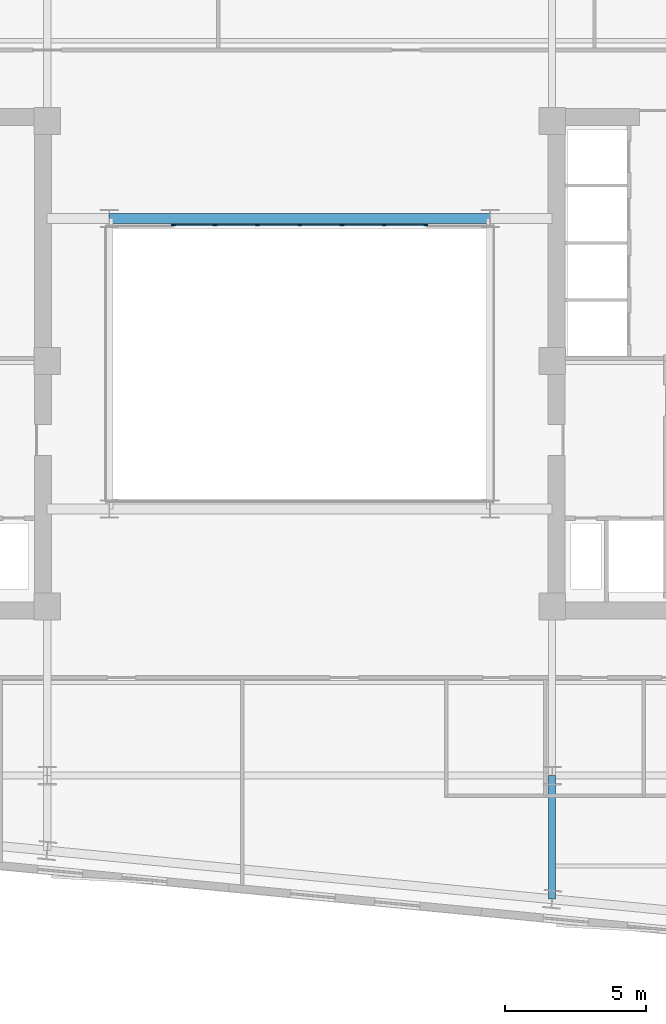
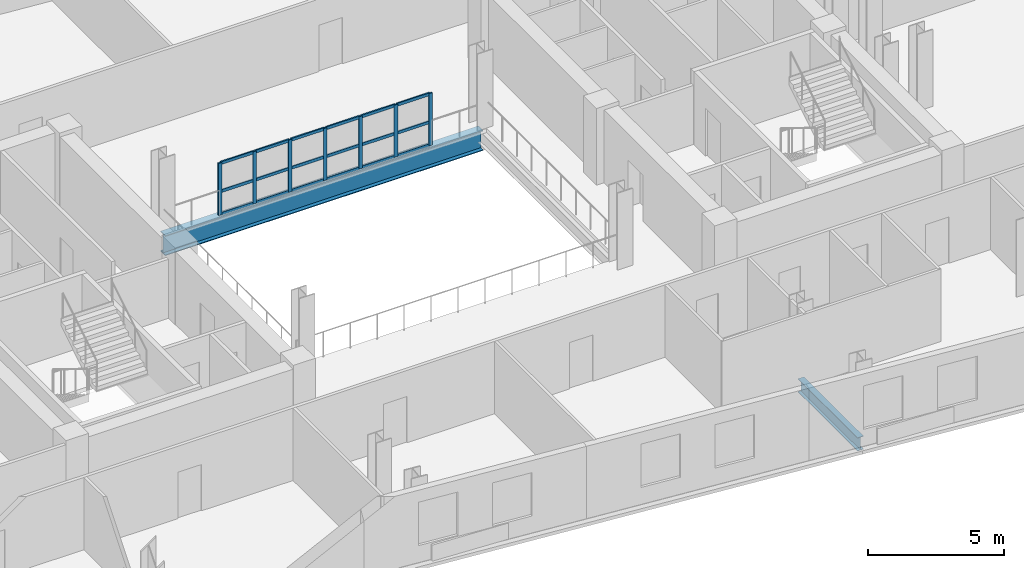
# One storey, part 2 of 10: 25 members, 2 beams, 1 element without a shape of its own.
"""IFC4 building model written with IfcOpenShell, lengths in metres."""

import ifcopenshell
import ifcopenshell.guid

model = None  # the IFC model being written
_history = None  # IfcOwnerHistory: only IFC2X3 demands one
_inside = {}  # id of a spatial element -> (the spatial element, [elements in it])
_under = {}  # id of a project, library or spatial element -> (it, [spatial elements below it])
_declared = {}  # id of a project -> (the project, [libraries it declares])
_typed = {}  # id of a type object -> (the type object, [elements of that type])
_made_of = {}  # id of a material, layer set ... -> (it, [elements and type objects made of it])


def new_model(schema):
    """Start an empty IFC model of exactly this schema.

    Asked for "IFC4X3", IfcOpenShell would pick the latest addendum, in which some entities
    have other attributes; the version numbers below select the first issue.
    IFC2X3 requires an IfcOwnerHistory on every rooted entity: one is made here for all.
    """
    global model, _history
    if schema == "IFC4X3":
        model = ifcopenshell.file(schema_version=(4, 3, 0, 0))
    else:
        model = ifcopenshell.file(schema=schema)
    _inside.clear()
    _under.clear()
    _declared.clear()
    _typed.clear()
    _made_of.clear()
    _history = None
    if model.schema == "IFC2X3":
        org = make("IfcOrganization", Name="unknown")
        user = make(
            "IfcPersonAndOrganization",
            ThePerson=make("IfcPerson", FamilyName="unknown"),
            TheOrganization=org,
        )
        app = make(
            "IfcApplication",
            ApplicationDeveloper=org,
            Version="unknown",
            ApplicationFullName="unknown",
            ApplicationIdentifier="unknown",
        )
        _history = make(
            "IfcOwnerHistory",
            OwningUser=user,
            OwningApplication=app,
            ChangeAction="ADDED",
            CreationDate=0,
        )
    return model


def make(cls, **values):
    """One entity of the class cls with the attributes given. An attribute that is None is left unset."""
    return model.create_entity(
        cls, **{name: value for name, value in values.items() if value is not None}
    )


def rooted(cls, **values):
    """An entity with a GlobalId (a new one), such as an element, a storey or a relation."""
    return make(cls, GlobalId=ifcopenshell.guid.new(), OwnerHistory=_history, **values)


def si_unit(unit_type, name, prefix=None):
    """IfcSIUnit, for example si_unit("LENGTHUNIT", "METRE", prefix="MILLI")."""
    return make("IfcSIUnit", UnitType=unit_type, Prefix=prefix, Name=name)


def assignment(units):
    """IfcUnitAssignment: the units of a project."""
    return None if units is None else make("IfcUnitAssignment", Units=units)


def point(xyz):
    """IfcCartesianPoint."""
    return None if xyz is None else make("IfcCartesianPoint", Coordinates=xyz)


def direction(xyz):
    """IfcDirection."""
    return None if xyz is None else make("IfcDirection", DirectionRatios=xyz)


def frame(location, z_axis=None, x_axis=None):
    """IfcAxis2Placement3D, a coordinate frame: its origin and axes. An axis left out is left unset."""
    return make(
        "IfcAxis2Placement3D",
        Location=point(location),
        Axis=direction(z_axis),
        RefDirection=direction(x_axis),
    )


def frame_2d(location, x_axis=None):
    """IfcAxis2Placement2D, a coordinate frame in the plane: its origin and x axis."""
    return make(
        "IfcAxis2Placement2D", Location=point(location), RefDirection=direction(x_axis)
    )


def origin():
    """The frame at (0, 0, 0) with its axes left unset."""
    return frame((0.0, 0.0, 0.0))


def origin_2d():
    """The frame at (0, 0) in the plane with its x axis left unset."""
    return frame_2d((0.0, 0.0))


def place(relative_to, where):
    """IfcLocalPlacement: puts the frame where relative to a parent placement (None: the world)."""
    return make(
        "IfcLocalPlacement", PlacementRelTo=relative_to, RelativePlacement=where
    )


def context(
    kind, dimensions, precision=None, world=None, true_north=None, identifier=None
):
    """IfcGeometricRepresentationContext, for example the 3D "Model" context."""
    return make(
        "IfcGeometricRepresentationContext",
        ContextIdentifier=identifier,
        ContextType=kind,
        CoordinateSpaceDimension=dimensions,
        Precision=precision,
        WorldCoordinateSystem=world,
        TrueNorth=true_north,
    )


def subcontext(parent, identifier, kind, view, scale=None):
    """IfcGeometricRepresentationSubContext, for example "Body" below "Model"."""
    return make(
        "IfcGeometricRepresentationSubContext",
        ContextIdentifier=identifier,
        ContextType=kind,
        ParentContext=parent,
        TargetScale=scale,
        TargetView=view,
    )


def project(units=None, contexts=None):
    """IfcProject with its units and contexts."""
    return rooted(
        "IfcProject",
        Name="project",
        RepresentationContexts=contexts,
        UnitsInContext=assignment(units),
    )


def spatial(cls, under=None, at=None, **own):
    """A site, building, storey or space (cls), placed at a placement, below another one or the project."""
    s = rooted(cls, ObjectPlacement=at, **own)
    if under is not None:
        _under.setdefault(under.id(), (under, []))[1].append(s)
    return s


def profile(cls, at=None, kind="AREA", **sizes):
    """A parametric profile (cls). Its sizes go by their IFC names, for example OverallWidth=200.0."""
    return make(cls, ProfileType=kind, Position=at, **sizes)


def rectangle(**sizes):
    """IfcRectangleProfileDef."""
    return profile("IfcRectangleProfileDef", **sizes)


def i_section(**sizes):
    """IfcIShapeProfileDef."""
    return profile("IfcIShapeProfileDef", **sizes)


def extrude(swept, where, along, depth):
    """IfcExtrudedAreaSolid: the profile swept, set in the frame where, extruded along a direction by depth."""
    return make(
        "IfcExtrudedAreaSolid",
        SweptArea=swept,
        Position=where,
        ExtrudedDirection=direction(along),
        Depth=depth,
    )


def shape(context_of_items, identifier, shape_type, items):
    """IfcShapeRepresentation: the items that make up one representation, for example the "Body"."""
    return make(
        "IfcShapeRepresentation",
        ContextOfItems=context_of_items,
        RepresentationIdentifier=identifier,
        RepresentationType=shape_type,
        Items=items,
    )


def material(Name=None, Category=None):
    """IfcMaterial."""
    return make("IfcMaterial", Name=Name, Category=Category)


def layer(
    of_material, thickness, ventilated=None, Name=None, Category=None, Priority=None
):
    """IfcMaterialLayer: one layer of a wall or slab, of a material (None: an air gap)."""
    return make(
        "IfcMaterialLayer",
        Material=of_material,
        LayerThickness=thickness,
        IsVentilated=ventilated,
        Name=Name,
        Category=Category,
        Priority=Priority,
    )


def layer_set(layers, Name=None):
    """IfcMaterialLayerSet."""
    return make("IfcMaterialLayerSet", MaterialLayers=layers, LayerSetName=Name)


def material_profile(
    of_material, cross_section, Name=None, Category=None, Priority=None
):
    """IfcMaterialProfile: a cross section and its material."""
    return make(
        "IfcMaterialProfile",
        Name=Name,
        Material=of_material,
        Profile=cross_section,
        Priority=Priority,
        Category=Category,
    )


def profile_set(profiles, Name=None, composite=None):
    """IfcMaterialProfileSet."""
    return make(
        "IfcMaterialProfileSet",
        Name=Name,
        MaterialProfiles=profiles,
        CompositeProfile=composite,
    )


def made_of(thing, what):
    """Note that an element or type object is made of a material, layer set ...; save() writes the relation."""
    if what is not None:
        _made_of.setdefault(what.id(), (what, []))[1].append(thing)
    return thing


def type_object(cls, material=None, **own):
    """A type object (cls), such as IfcWallType, which elements share."""
    return made_of(rooted(cls, **own), material)


def element(
    cls,
    number,
    at=None,
    inside=None,
    cuts=None,
    type_object=None,
    material=None,
    context=None,
    identifier="Body",
    shape_type=None,
    held_by="IfcProductDefinitionShape",
    body=None,
    shapes=None,
    **own,
):
    """One element of the class cls, such as IfcWall. Its Tag is "e" and its number.

    at: its placement. inside: the storey or other place that contains it. cuts: it is an
    opening in that element (IfcRelVoidsElement). A single representation is given by context,
    identifier, shape_type and body (its items); several are given by shapes. held_by: the class
    of the entity that holds the representations. save() writes the other relations.
    """
    e = rooted(cls, Tag="e%d" % number, ObjectPlacement=at, **own)
    if body is not None:
        shapes = [shape(context, identifier, shape_type, body)]
    if shapes is not None:
        e.Representation = make(held_by, Representations=shapes)
    if inside is not None:
        _inside.setdefault(inside.id(), (inside, []))[1].append(e)
    if cuts is not None:
        rooted(
            "IfcRelVoidsElement", RelatingBuildingElement=cuts, RelatedOpeningElement=e
        )
    if type_object is not None:
        _typed.setdefault(type_object.id(), (type_object, []))[1].append(e)
    return made_of(e, material)


def aggregate(whole, parts):
    """IfcRelAggregates: a whole, such as a stair, and the parts it consists of."""
    return rooted("IfcRelAggregates", RelatingObject=whole, RelatedObjects=parts)


def save(model, path):
    """Write the relations noted so far, then the file.

    IfcRelAggregates (storeys below a building ...), IfcRelContainedInSpatialStructure (elements
    in a storey), IfcRelDefinesByType, IfcRelAssociatesMaterial and IfcRelDeclares: one each for
    every whole, place, type object, material and project.
    """
    for whole, parts in _under.values():
        aggregate(whole, parts)
    for where, things in _inside.values():
        rooted(
            "IfcRelContainedInSpatialStructure",
            RelatedElements=things,
            RelatingStructure=where,
        )
    for kind, things in _typed.values():
        rooted("IfcRelDefinesByType", RelatedObjects=things, RelatingType=kind)
    for what, things in _made_of.values():
        rooted("IfcRelAssociatesMaterial", RelatedObjects=things, RelatingMaterial=what)
    for by, libraries in _declared.values():
        rooted("IfcRelDeclares", RelatingContext=by, RelatedDefinitions=libraries)
    model.write(path)


model = new_model("IFC4")

# Units and contexts
model_context = context("Model", 3, precision=1e-05, world=origin(), true_north=direction((0.0, 1.0)))
body_context = subcontext(model_context, "Body", "Model", "MODEL_VIEW")
ifc_project = project(units=[si_unit("LENGTHUNIT", "METRE"), si_unit("AREAUNIT", "SQUARE_METRE"), si_unit("VOLUMEUNIT", "CUBIC_METRE"), si_unit("PLANEANGLEUNIT", "RADIAN"), si_unit("MASSUNIT", "GRAM", prefix="KILO")], contexts=[model_context])

# Site, building, storey
site_placement = place(None, origin())
site = spatial("IfcSite", under=ifc_project, at=site_placement, CompositionType="ELEMENT")
building_placement = place(site_placement, origin())
building = spatial("IfcBuilding", under=site, at=building_placement, Name="Velakula Bourse", CompositionType="ELEMENT")
storey_placement = place(building_placement, frame((0.0, 0.0, 174.199951171875)))
storey = spatial("IfcBuildingStorey", under=building, at=storey_placement, Name="L47", CompositionType="ELEMENT", Elevation=174.199951171875)

# Beams
ifc_material_1 = material(Name="Steel IS 2062 Grade 350 (E350)", Category="steel")
ifc_material_profile_1 = material_profile(ifc_material_1, i_section(OverallWidth=0.25, OverallDepth=0.60009765625, WebThickness=0.01123046875, FlangeThickness=0.021240234375, at=origin_2d()), Name="Steel IS 2062 Grade 350 (E350)")
ifc_profile_set_1 = profile_set([ifc_material_profile_1], Name="Steel IS 2062 Grade 350 (E350)")
beam_type_1 = type_object("IfcBeamType", Name="BM-GRD-600M", PredefinedType="BEAM", material=ifc_profile_set_1)
beam_1_placement = place(storey_placement, frame((8.949951171875, -14.60009765625, -0.47998046875), z_axis=(0.0, -1.0, 0.0), x_axis=(1.0, 0.0, 0.0)))
element("IfcBeam", 1, at=beam_1_placement, inside=storey, type_object=beam_type_1, Name="L47 Perimeter Tie Girder S3", PredefinedType="BEAM", context=body_context, shape_type="SweptSolid", body=[
    extrude(i_section(OverallWidth=0.25, OverallDepth=0.60009765625, WebThickness=0.01123046875, FlangeThickness=0.021240234375, at=origin_2d()), origin(), (0.0, 0.0, 1.0), 4.38134765625),
])
ifc_material_profile_2 = material_profile(ifc_material_1, i_section(OverallWidth=0.35009765625, OverallDepth=0.89990234375, WebThickness=0.02001953125, FlangeThickness=0.031982421875, at=origin_2d()), Name="Steel IS 2062 Grade 350 (E350)")
ifc_profile_set_2 = profile_set([ifc_material_profile_2], Name="Steel IS 2062 Grade 350 (E350)")
beam_type_2 = type_object("IfcBeamType", Name="BM-LNK-900", PredefinedType="BEAM", material=ifc_profile_set_2)
beam_2_placement = place(storey_placement, frame((-6.75, 5.14990234375, -0.6298828125), z_axis=(1.0, 0.0, 0.0), x_axis=(0.0, 1.0, 0.0)))
element("IfcBeam", 2, at=beam_2_placement, inside=storey, type_object=beam_type_2, Name="L47 Primary Backbone Girder LNK-N2", PredefinedType="BEAM", context=body_context, shape_type="SweptSolid", body=[
    extrude(i_section(OverallWidth=0.35009765625, OverallDepth=0.89990234375, WebThickness=0.02001953125, FlangeThickness=0.031982421875, at=origin_2d()), origin(), (0.0, 0.0, 1.0), 13.5),
])

# Curtain wall, members
ifc_material_2 = material(Name="Anodised bronze architectural aluminium", Category="aluminium")
ifc_layer = layer(ifc_material_2, 0.14990234375, Name="Anodised bronze architectural aluminium", Category="aluminium")
ifc_layer_set = layer_set([ifc_layer], Name="Anodised bronze architectural aluminium")
curtain_wall_type = type_object("IfcCurtainWallType", Name="CW-AT1", PredefinedType="NOTDEFINED", material=ifc_layer_set)
curtain_wall_placement = place(storey_placement, origin())
curtain_wall = element("IfcCurtainWall", 3, at=curtain_wall_placement, inside=storey, type_object=curtain_wall_type, Name="L47 Central Trading Atrium Fire-Rated Glazed Screen", PredefinedType="NOTDEFINED")
ifc_material_profile_3 = material_profile(ifc_material_2, rectangle(XDim=0.06005859375, YDim=0.14990234375, at=origin_2d()), Name="Anodised bronze architectural aluminium")
ifc_profile_set_3 = profile_set([ifc_material_profile_3], Name="Anodised bronze architectural aluminium")
member_type_1 = type_object("IfcMemberType", Name="MUL-CW-AT1", PredefinedType="MULLION", material=ifc_profile_set_3)
member_1_placement = place(storey_placement, frame((-4.469970703125, 4.919921875, 0.0), z_axis=(0.0, 0.0, 1.0), x_axis=(0.0, 1.0, 0.0)))
member_1 = element("IfcMember", 4, at=member_1_placement, type_object=member_type_1, Name="CW-AT1 mullion 1", PredefinedType="MULLION", context=body_context, shape_type="SweptSolid", body=[
    extrude(rectangle(XDim=0.06005859375, YDim=0.14990234375, at=origin_2d()), origin(), (0.0, 0.0, 1.0), 2.344970703125),
])
member_2_placement = place(storey_placement, frame((-3.0, 4.919921875, 0.0), z_axis=(0.0, 0.0, 1.0), x_axis=(0.0, 1.0, 0.0)))
member_2 = element("IfcMember", 5, at=member_2_placement, type_object=member_type_1, Name="CW-AT1 mullion 2", PredefinedType="MULLION", context=body_context, shape_type="SweptSolid", body=[
    extrude(rectangle(XDim=0.06005859375, YDim=0.14990234375, at=origin_2d()), origin(), (0.0, 0.0, 1.0), 2.344970703125),
])
member_3_placement = place(storey_placement, frame((-1.5, 4.919921875, 0.0), z_axis=(0.0, 0.0, 1.0), x_axis=(0.0, 1.0, 0.0)))
member_3 = element("IfcMember", 6, at=member_3_placement, type_object=member_type_1, Name="CW-AT1 mullion 3", PredefinedType="MULLION", context=body_context, shape_type="SweptSolid", body=[
    extrude(rectangle(XDim=0.06005859375, YDim=0.14990234375, at=origin_2d()), origin(), (0.0, 0.0, 1.0), 2.344970703125),
])
member_4_placement = place(storey_placement, frame((0.0, 4.919921875, 0.0), z_axis=(0.0, 0.0, 1.0), x_axis=(0.0, 1.0, 0.0)))
member_4 = element("IfcMember", 7, at=member_4_placement, type_object=member_type_1, Name="CW-AT1 mullion 4", PredefinedType="MULLION", context=body_context, shape_type="SweptSolid", body=[
    extrude(rectangle(XDim=0.06005859375, YDim=0.14990234375, at=origin_2d()), origin(), (0.0, 0.0, 1.0), 2.344970703125),
])
member_5_placement = place(storey_placement, frame((1.5, 4.919921875, 0.0), z_axis=(0.0, 0.0, 1.0), x_axis=(0.0, 1.0, 0.0)))
member_5 = element("IfcMember", 8, at=member_5_placement, type_object=member_type_1, Name="CW-AT1 mullion 5", PredefinedType="MULLION", context=body_context, shape_type="SweptSolid", body=[
    extrude(rectangle(XDim=0.06005859375, YDim=0.14990234375, at=origin_2d()), origin(), (0.0, 0.0, 1.0), 2.344970703125),
])
member_6_placement = place(storey_placement, frame((3.0, 4.919921875, 0.0), z_axis=(0.0, 0.0, 1.0), x_axis=(0.0, 1.0, 0.0)))
member_6 = element("IfcMember", 9, at=member_6_placement, type_object=member_type_1, Name="CW-AT1 mullion 6", PredefinedType="MULLION", context=body_context, shape_type="SweptSolid", body=[
    extrude(rectangle(XDim=0.06005859375, YDim=0.14990234375, at=origin_2d()), origin(), (0.0, 0.0, 1.0), 2.344970703125),
])
member_7_placement = place(storey_placement, frame((4.469970703125, 4.919921875, 0.0), z_axis=(0.0, 0.0, 1.0), x_axis=(0.0, 1.0, 0.0)))
member_7 = element("IfcMember", 10, at=member_7_placement, type_object=member_type_1, Name="CW-AT1 mullion 7", PredefinedType="MULLION", context=body_context, shape_type="SweptSolid", body=[
    extrude(rectangle(XDim=0.06005859375, YDim=0.14990234375, at=origin_2d()), origin(), (0.0, 0.0, 1.0), 2.344970703125),
])
ifc_material_profile_4 = material_profile(ifc_material_2, rectangle(XDim=0.06005859375, YDim=0.1298828125, at=origin_2d()), Name="Anodised bronze architectural aluminium")
ifc_profile_set_4 = profile_set([ifc_material_profile_4], Name="Anodised bronze architectural aluminium")
member_type_2 = type_object("IfcMemberType", Name="TRN-CW-AT1", PredefinedType="USERDEFINED", material=ifc_profile_set_4)
member_8_placement = place(storey_placement, frame((-4.43994140625, 4.919921875, 0.030029296875), z_axis=(1.0, 0.0, 0.0), x_axis=(0.0, 1.0, 0.0)))
member_8 = element("IfcMember", 11, at=member_8_placement, type_object=member_type_2, Name="CW-AT1 transom 1.1", ObjectType="TRANSOM", PredefinedType="USERDEFINED", context=body_context, shape_type="SweptSolid", body=[
    extrude(rectangle(XDim=0.06005859375, YDim=0.1298828125, at=origin_2d()), origin(), (0.0, 0.0, 1.0), 1.409912109375),
])
member_9_placement = place(storey_placement, frame((-4.43994140625, 4.919921875, 1.05517578125), z_axis=(1.0, 0.0, 0.0), x_axis=(0.0, 1.0, 0.0)))
member_9 = element("IfcMember", 12, at=member_9_placement, type_object=member_type_2, Name="CW-AT1 transom 1.2", ObjectType="TRANSOM", PredefinedType="USERDEFINED", context=body_context, shape_type="SweptSolid", body=[
    extrude(rectangle(XDim=0.06005859375, YDim=0.1298828125, at=origin_2d()), origin(), (0.0, 0.0, 1.0), 1.409912109375),
])
member_10_placement = place(storey_placement, frame((-4.43994140625, 4.919921875, 2.31494140625), z_axis=(1.0, 0.0, 0.0), x_axis=(0.0, 1.0, 0.0)))
member_10 = element("IfcMember", 13, at=member_10_placement, type_object=member_type_2, Name="CW-AT1 transom 1.3", ObjectType="TRANSOM", PredefinedType="USERDEFINED", context=body_context, shape_type="SweptSolid", body=[
    extrude(rectangle(XDim=0.06005859375, YDim=0.1298828125, at=origin_2d()), origin(), (0.0, 0.0, 1.0), 1.409912109375),
])
member_11_placement = place(storey_placement, frame((-2.969970703125, 4.919921875, 0.030029296875), z_axis=(1.0, 0.0, 0.0), x_axis=(0.0, 1.0, 0.0)))
member_11 = element("IfcMember", 14, at=member_11_placement, type_object=member_type_2, Name="CW-AT1 transom 2.1", ObjectType="TRANSOM", PredefinedType="USERDEFINED", context=body_context, shape_type="SweptSolid", body=[
    extrude(rectangle(XDim=0.06005859375, YDim=0.1298828125, at=origin_2d()), origin(), (0.0, 0.0, 1.0), 1.43994140625),
])
member_12_placement = place(storey_placement, frame((-2.969970703125, 4.919921875, 1.05517578125), z_axis=(1.0, 0.0, 0.0), x_axis=(0.0, 1.0, 0.0)))
member_12 = element("IfcMember", 15, at=member_12_placement, type_object=member_type_2, Name="CW-AT1 transom 2.2", ObjectType="TRANSOM", PredefinedType="USERDEFINED", context=body_context, shape_type="SweptSolid", body=[
    extrude(rectangle(XDim=0.06005859375, YDim=0.1298828125, at=origin_2d()), origin(), (0.0, 0.0, 1.0), 1.43994140625),
])
member_13_placement = place(storey_placement, frame((-2.969970703125, 4.919921875, 2.31494140625), z_axis=(1.0, 0.0, 0.0), x_axis=(0.0, 1.0, 0.0)))
member_13 = element("IfcMember", 16, at=member_13_placement, type_object=member_type_2, Name="CW-AT1 transom 2.3", ObjectType="TRANSOM", PredefinedType="USERDEFINED", context=body_context, shape_type="SweptSolid", body=[
    extrude(rectangle(XDim=0.06005859375, YDim=0.1298828125, at=origin_2d()), origin(), (0.0, 0.0, 1.0), 1.43994140625),
])
member_14_placement = place(storey_placement, frame((-1.469970703125, 4.919921875, 0.030029296875), z_axis=(1.0, 0.0, 0.0), x_axis=(0.0, 1.0, 0.0)))
member_14 = element("IfcMember", 17, at=member_14_placement, type_object=member_type_2, Name="CW-AT1 transom 3.1", ObjectType="TRANSOM", PredefinedType="USERDEFINED", context=body_context, shape_type="SweptSolid", body=[
    extrude(rectangle(XDim=0.06005859375, YDim=0.1298828125, at=origin_2d()), origin(), (0.0, 0.0, 1.0), 1.43994140625),
])
member_15_placement = place(storey_placement, frame((-1.469970703125, 4.919921875, 1.05517578125), z_axis=(1.0, 0.0, 0.0), x_axis=(0.0, 1.0, 0.0)))
member_15 = element("IfcMember", 18, at=member_15_placement, type_object=member_type_2, Name="CW-AT1 transom 3.2", ObjectType="TRANSOM", PredefinedType="USERDEFINED", context=body_context, shape_type="SweptSolid", body=[
    extrude(rectangle(XDim=0.06005859375, YDim=0.1298828125, at=origin_2d()), origin(), (0.0, 0.0, 1.0), 1.43994140625),
])
member_16_placement = place(storey_placement, frame((-1.469970703125, 4.919921875, 2.31494140625), z_axis=(1.0, 0.0, 0.0), x_axis=(0.0, 1.0, 0.0)))
member_16 = element("IfcMember", 19, at=member_16_placement, type_object=member_type_2, Name="CW-AT1 transom 3.3", ObjectType="TRANSOM", PredefinedType="USERDEFINED", context=body_context, shape_type="SweptSolid", body=[
    extrude(rectangle(XDim=0.06005859375, YDim=0.1298828125, at=origin_2d()), origin(), (0.0, 0.0, 1.0), 1.43994140625),
])
member_17_placement = place(storey_placement, frame((0.030029296875, 4.919921875, 0.030029296875), z_axis=(1.0, 0.0, 0.0), x_axis=(0.0, 1.0, 0.0)))
member_17 = element("IfcMember", 20, at=member_17_placement, type_object=member_type_2, Name="CW-AT1 transom 4.1", ObjectType="TRANSOM", PredefinedType="USERDEFINED", context=body_context, shape_type="SweptSolid", body=[
    extrude(rectangle(XDim=0.06005859375, YDim=0.1298828125, at=origin_2d()), origin(), (0.0, 0.0, 1.0), 1.43994140625),
])
member_18_placement = place(storey_placement, frame((0.030029296875, 4.919921875, 1.05517578125), z_axis=(1.0, 0.0, 0.0), x_axis=(0.0, 1.0, 0.0)))
member_18 = element("IfcMember", 21, at=member_18_placement, type_object=member_type_2, Name="CW-AT1 transom 4.2", ObjectType="TRANSOM", PredefinedType="USERDEFINED", context=body_context, shape_type="SweptSolid", body=[
    extrude(rectangle(XDim=0.06005859375, YDim=0.1298828125, at=origin_2d()), origin(), (0.0, 0.0, 1.0), 1.43994140625),
])
member_19_placement = place(storey_placement, frame((0.030029296875, 4.919921875, 2.31494140625), z_axis=(1.0, 0.0, 0.0), x_axis=(0.0, 1.0, 0.0)))
member_19 = element("IfcMember", 22, at=member_19_placement, type_object=member_type_2, Name="CW-AT1 transom 4.3", ObjectType="TRANSOM", PredefinedType="USERDEFINED", context=body_context, shape_type="SweptSolid", body=[
    extrude(rectangle(XDim=0.06005859375, YDim=0.1298828125, at=origin_2d()), origin(), (0.0, 0.0, 1.0), 1.43994140625),
])
member_20_placement = place(storey_placement, frame((1.530029296875, 4.919921875, 0.030029296875), z_axis=(1.0, 0.0, 0.0), x_axis=(0.0, 1.0, 0.0)))
member_20 = element("IfcMember", 23, at=member_20_placement, type_object=member_type_2, Name="CW-AT1 transom 5.1", ObjectType="TRANSOM", PredefinedType="USERDEFINED", context=body_context, shape_type="SweptSolid", body=[
    extrude(rectangle(XDim=0.06005859375, YDim=0.1298828125, at=origin_2d()), origin(), (0.0, 0.0, 1.0), 1.43994140625),
])
member_21_placement = place(storey_placement, frame((1.530029296875, 4.919921875, 1.05517578125), z_axis=(1.0, 0.0, 0.0), x_axis=(0.0, 1.0, 0.0)))
member_21 = element("IfcMember", 24, at=member_21_placement, type_object=member_type_2, Name="CW-AT1 transom 5.2", ObjectType="TRANSOM", PredefinedType="USERDEFINED", context=body_context, shape_type="SweptSolid", body=[
    extrude(rectangle(XDim=0.06005859375, YDim=0.1298828125, at=origin_2d()), origin(), (0.0, 0.0, 1.0), 1.43994140625),
])
member_22_placement = place(storey_placement, frame((1.530029296875, 4.919921875, 2.31494140625), z_axis=(1.0, 0.0, 0.0), x_axis=(0.0, 1.0, 0.0)))
member_22 = element("IfcMember", 25, at=member_22_placement, type_object=member_type_2, Name="CW-AT1 transom 5.3", ObjectType="TRANSOM", PredefinedType="USERDEFINED", context=body_context, shape_type="SweptSolid", body=[
    extrude(rectangle(XDim=0.06005859375, YDim=0.1298828125, at=origin_2d()), origin(), (0.0, 0.0, 1.0), 1.43994140625),
])
member_23_placement = place(storey_placement, frame((3.030029296875, 4.919921875, 0.030029296875), z_axis=(1.0, 0.0, 0.0), x_axis=(0.0, 1.0, 0.0)))
member_23 = element("IfcMember", 26, at=member_23_placement, type_object=member_type_2, Name="CW-AT1 transom 6.1", ObjectType="TRANSOM", PredefinedType="USERDEFINED", context=body_context, shape_type="SweptSolid", body=[
    extrude(rectangle(XDim=0.06005859375, YDim=0.1298828125, at=origin_2d()), origin(), (0.0, 0.0, 1.0), 1.409912109375),
])
member_24_placement = place(storey_placement, frame((3.030029296875, 4.919921875, 1.05517578125), z_axis=(1.0, 0.0, 0.0), x_axis=(0.0, 1.0, 0.0)))
member_24 = element("IfcMember", 27, at=member_24_placement, type_object=member_type_2, Name="CW-AT1 transom 6.2", ObjectType="TRANSOM", PredefinedType="USERDEFINED", context=body_context, shape_type="SweptSolid", body=[
    extrude(rectangle(XDim=0.06005859375, YDim=0.1298828125, at=origin_2d()), origin(), (0.0, 0.0, 1.0), 1.409912109375),
])
member_25_placement = place(storey_placement, frame((3.030029296875, 4.919921875, 2.31494140625), z_axis=(1.0, 0.0, 0.0), x_axis=(0.0, 1.0, 0.0)))
member_25 = element("IfcMember", 28, at=member_25_placement, type_object=member_type_2, Name="CW-AT1 transom 6.3", ObjectType="TRANSOM", PredefinedType="USERDEFINED", context=body_context, shape_type="SweptSolid", body=[
    extrude(rectangle(XDim=0.06005859375, YDim=0.1298828125, at=origin_2d()), origin(), (0.0, 0.0, 1.0), 1.409912109375),
])
aggregate(curtain_wall, [member_1, member_2, member_3, member_4, member_5, member_6, member_7, member_8, member_9, member_10, member_11, member_12, member_13, member_14, member_15, member_16, member_17, member_18, member_19, member_20, member_21, member_22, member_23, member_24, member_25])

save(model, "model.ifc")
